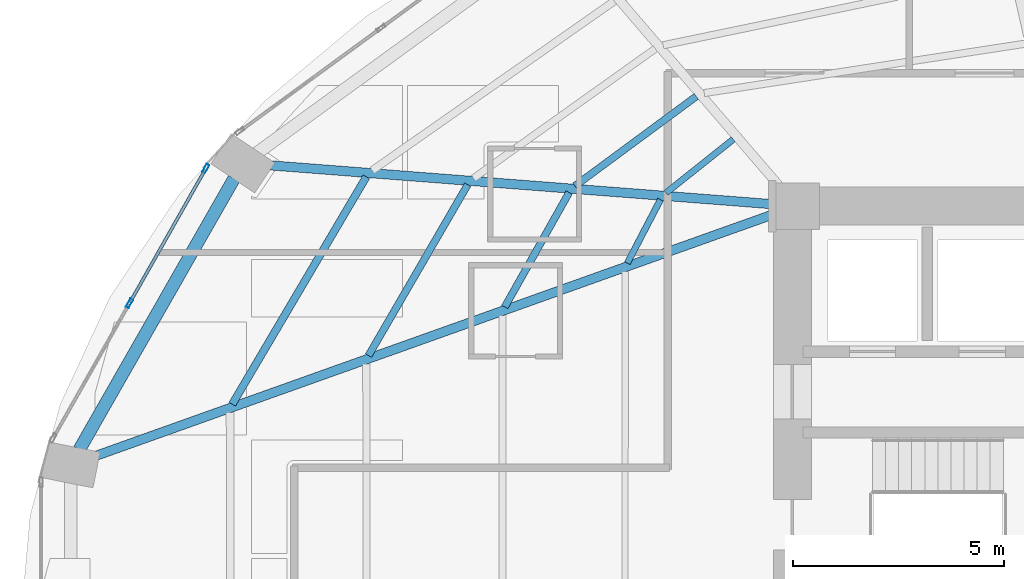
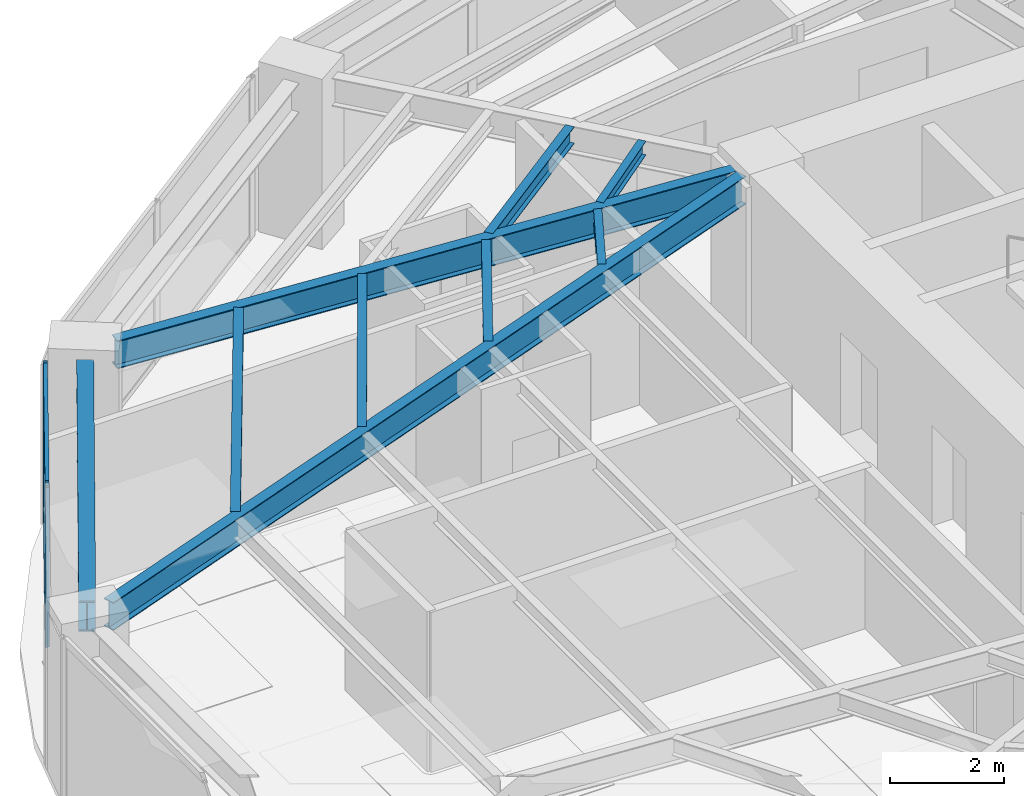
# One storey, part 8 of 24: 9 beams, 4 members, 1 element without a shape of its own.
"""IFC4 building model written with IfcOpenShell, lengths in metres."""

from ifc_helpers import new_model, si_unit, direction, frame, origin, origin_2d, place, context, subcontext, project, spatial, hollow_rectangle, i_section, extrude, material, layer, layer_set, material_profile, profile_set, type_object, element, aggregate, save


model = new_model("IFC4")

# Units and contexts
model_context = context("Model", 3, precision=1e-05, world=origin(), true_north=direction((0.0, 1.0)))
body_context = subcontext(model_context, "Body", "Model", "MODEL_VIEW")
ifc_project = project(units=[si_unit("LENGTHUNIT", "METRE"), si_unit("AREAUNIT", "SQUARE_METRE"), si_unit("VOLUMEUNIT", "CUBIC_METRE"), si_unit("PLANEANGLEUNIT", "RADIAN"), si_unit("MASSUNIT", "GRAM", prefix="KILO")], contexts=[model_context])

# Site, building, storey
site_placement = place(None, origin())
site = spatial("IfcSite", under=ifc_project, at=site_placement, CompositionType="ELEMENT")
building_placement = place(site_placement, origin())
building = spatial("IfcBuilding", under=site, at=building_placement, Name="Lazwardi Medical Tower", CompositionType="ELEMENT")
storey_placement = place(building_placement, frame((0.0, 0.0, 54.384033203125)))
storey = spatial("IfcBuildingStorey", under=building, at=storey_placement, Name="L13", CompositionType="ELEMENT", Elevation=54.384033203125)

# Beams
ifc_material_1 = material(Name="Steel S355", Category="steel")
ifc_material_profile_1 = material_profile(ifc_material_1, i_section(OverallWidth=0.300048828125, OverallDepth=0.64990234375, WebThickness=0.01611328125, FlangeThickness=0.031005859375, at=origin_2d()), Name="HEB 650")
ifc_profile_set_1 = profile_set([ifc_material_profile_1], Name="Steel S355")
beam_type_1 = type_object("IfcBeamType", Name="BM-RB-Z1", PredefinedType="BEAM", material=ifc_profile_set_1)
beam_1_placement = place(storey_placement, frame((13.072021484375, 36.24951171875, 3.10302734375), z_axis=(-0.495829348644, -0.868419977328, 0.0), x_axis=(0.868419977328, -0.495829348644, 0.0)))
element("IfcBeam", 1, at=beam_1_placement, inside=storey, type_object=beam_type_1, Name="Ring beam RB-02 B11 L13", PredefinedType="BEAM", context=body_context, shape_type="SweptSolid", body=[
    extrude(i_section(OverallWidth=0.300048828125, OverallDepth=0.64990234375, WebThickness=0.01611328125, FlangeThickness=0.031005859375, at=origin_2d()), origin(), (0.0, 0.0, 1.0), 7.38916015625),
])
ifc_material_profile_2 = material_profile(ifc_material_1, i_section(OverallWidth=0.219970703125, OverallDepth=0.60009765625, WebThickness=0.011962890625, FlangeThickness=0.01904296875, at=origin_2d()), Name="IPE 600")
ifc_profile_set_2 = profile_set([ifc_material_profile_2], Name="Steel S355")
beam_type_2 = type_object("IfcBeamType", Name="BM-RG-W1", PredefinedType="BEAM", material=ifc_profile_set_2)
beam_2_placement = place(storey_placement, frame((13.8583984375, 36.569580078125, 3.1279296875), z_axis=(0.997024241118, -0.077088667283, 0.0), x_axis=(0.077088667283, 0.997024241118, 0.0)))
element("IfcBeam", 2, at=beam_2_placement, inside=storey, type_object=beam_type_2, Name="Radial girder RG-02 R11 L13", PredefinedType="BEAM", context=body_context, shape_type="SweptSolid", body=[
    extrude(i_section(OverallWidth=0.219970703125, OverallDepth=0.60009765625, WebThickness=0.011962890625, FlangeThickness=0.01904296875, at=origin_2d()), origin(), (0.0, 0.0, 1.0), 12.044189453125),
])
beam_3_placement = place(storey_placement, frame((9.746337890625, 29.66259765625, 3.1279296875), z_axis=(0.941925080425, 0.335823082688, 0.0), x_axis=(-0.335823082688, 0.941925080425, 0.0)))
element("IfcBeam", 3, at=beam_3_placement, inside=storey, type_object=beam_type_2, Name="Radial girder RG-02 R12 L13", PredefinedType="BEAM", context=body_context, shape_type="SweptSolid", body=[
    extrude(i_section(OverallWidth=0.219970703125, OverallDepth=0.60009765625, WebThickness=0.011962890625, FlangeThickness=0.01904296875, at=origin_2d()), origin(), (0.0, 0.0, 1.0), 17.145263671875),
])
ifc_material_profile_3 = material_profile(ifc_material_1, i_section(OverallWidth=0.179931640625, OverallDepth=0.39990234375, WebThickness=0.008544921875, FlangeThickness=0.013427734375, at=origin_2d()), Name="IPE 400")
ifc_profile_set_3 = profile_set([ifc_material_profile_3], Name="Steel S355")
beam_type_3 = type_object("IfcBeamType", Name="BM-SJ-01", PredefinedType="JOIST", material=ifc_profile_set_3)
beam_4_placement = place(storey_placement, frame((16.206787109375, 36.29345703125, 3.22802734375), z_axis=(-0.507886270937, -0.861424132349, 0.0), x_axis=(0.861424132349, -0.507886270937, 0.0)))
element("IfcBeam", 4, at=beam_4_placement, inside=storey, type_object=beam_type_3, Name="Secondary joist SJ-01 R1 B11 L13", PredefinedType="JOIST", context=body_context, shape_type="SweptSolid", body=[
    extrude(i_section(OverallWidth=0.179931640625, OverallDepth=0.39990234375, WebThickness=0.008544921875, FlangeThickness=0.013427734375, at=origin_2d()), origin(), (0.0, 0.0, 1.0), 6.255859375),
])
ifc_material_profile_4 = material_profile(ifc_material_1, i_section(OverallWidth=0.169921875, OverallDepth=0.360107421875, WebThickness=0.008056640625, FlangeThickness=0.0126953125, at=origin_2d()), Name="IPE 360")
ifc_profile_set_4 = profile_set([ifc_material_profile_4], Name="Steel S355")
beam_type_4 = type_object("IfcBeamType", Name="BM-SJ-02", PredefinedType="JOIST", material=ifc_profile_set_4)
beam_5_placement = place(storey_placement, frame((18.60888671875, 36.107421875, 3.248046875), z_axis=(-0.501798442848, -0.86498457949, 0.0), x_axis=(0.86498457949, -0.501798442848, 0.0)))
element("IfcBeam", 5, at=beam_5_placement, inside=storey, type_object=beam_type_4, Name="Secondary joist SJ-02 R2 B11 L13", PredefinedType="JOIST", context=body_context, shape_type="SweptSolid", body=[
    extrude(i_section(OverallWidth=0.169921875, OverallDepth=0.360107421875, WebThickness=0.008056640625, FlangeThickness=0.0126953125, at=origin_2d()), origin(), (0.0, 0.0, 1.0), 4.683349609375),
])
beam_6_placement = place(storey_placement, frame((24.025146484375, 38.19873046875, 3.248046875), z_axis=(-0.804580292353, -0.593843879448, 0.0), x_axis=(0.593843879448, -0.804580292353, 0.0)))
element("IfcBeam", 6, at=beam_6_placement, inside=storey, type_object=beam_type_4, Name="Secondary joist SJ-02 R3 B10 L13", PredefinedType="JOIST", context=body_context, shape_type="SweptSolid", body=[
    extrude(i_section(OverallWidth=0.169921875, OverallDepth=0.360107421875, WebThickness=0.008056640625, FlangeThickness=0.0126953125, at=origin_2d()), origin(), (0.0, 0.0, 1.0), 3.576416015625),
])
beam_7_placement = place(storey_placement, frame((21.011962890625, 35.9208984375, 3.248046875), z_axis=(-0.489974339037, -0.87173685656, 0.0), x_axis=(0.87173685656, -0.489974339037, 0.0)))
element("IfcBeam", 7, at=beam_7_placement, inside=storey, type_object=beam_type_4, Name="Secondary joist SJ-02 R3 B11 L13", PredefinedType="JOIST", context=body_context, shape_type="SweptSolid", body=[
    extrude(i_section(OverallWidth=0.169921875, OverallDepth=0.360107421875, WebThickness=0.008056640625, FlangeThickness=0.0126953125, at=origin_2d()), origin(), (0.0, 0.0, 1.0), 3.111328125),
])
ifc_material_profile_5 = material_profile(ifc_material_1, i_section(OverallWidth=0.14990234375, OverallDepth=0.300048828125, WebThickness=0.007080078125, FlangeThickness=0.0107421875, at=origin_2d()), Name="IPE 300")
ifc_profile_set_5 = profile_set([ifc_material_profile_5], Name="Steel S355")
beam_type_5 = type_object("IfcBeamType", Name="BM-SJ-03", PredefinedType="JOIST", material=ifc_profile_set_5)
beam_8_placement = place(storey_placement, frame((24.901123046875, 37.1806640625, 3.278076171875), z_axis=(-0.782210957226, -0.623013658274, 0.0), x_axis=(0.623013658274, -0.782210957226, 0.0)))
element("IfcBeam", 8, at=beam_8_placement, inside=storey, type_object=beam_type_5, Name="Secondary joist SJ-03 R4 B10 L13", PredefinedType="JOIST", context=body_context, shape_type="SweptSolid", body=[
    extrude(i_section(OverallWidth=0.14990234375, OverallDepth=0.300048828125, WebThickness=0.007080078125, FlangeThickness=0.0107421875, at=origin_2d()), origin(), (0.0, 0.0, 1.0), 2.0380859375),
])
beam_9_placement = place(storey_placement, frame((23.17626953125, 35.752197265625, 3.278076171875), z_axis=(-0.462162985948, -0.88679500135, 0.0), x_axis=(0.88679500135, -0.462162985948, 0.0)))
element("IfcBeam", 9, at=beam_9_placement, inside=storey, type_object=beam_type_5, Name="Secondary joist SJ-03 R4 B11 L13", PredefinedType="JOIST", context=body_context, shape_type="SweptSolid", body=[
    extrude(i_section(OverallWidth=0.14990234375, OverallDepth=0.300048828125, WebThickness=0.007080078125, FlangeThickness=0.0107421875, at=origin_2d()), origin(), (0.0, 0.0, 1.0), 1.69775390625),
])

# Curtain wall, members
ifc_material_2 = material(Name="Anodised bronze aluminium and solar control glazing", Category="aluminium")
ifc_layer = layer(ifc_material_2, 0.199951171875)
ifc_layer_set = layer_set([ifc_layer], Name="Anodised bronze aluminium and solar control glazing")
curtain_wall_type = type_object("IfcCurtainWallType", Name="CW-SYS-02", PredefinedType="NOTDEFINED", material=ifc_layer_set)
curtain_wall_placement = place(storey_placement, origin())
curtain_wall = element("IfcCurtainWall", 10, at=curtain_wall_placement, inside=storey, type_object=curtain_wall_type, Name="L13 Unitised bronze curtain wall CW-02", PredefinedType="NOTDEFINED")
ifc_material_3 = material(Name="Anodised bronze aluminium", Category="aluminium")
ifc_material_profile_6 = material_profile(ifc_material_3, hollow_rectangle(XDim=0.074951171875, YDim=0.219970703125, WallThickness=0.00390625, at=origin_2d()), Name="ALU-MULLION 220x75x4")
ifc_profile_set_6 = profile_set([ifc_material_profile_6], Name="Anodised bronze aluminium")
member_type_1 = type_object("IfcMemberType", Name="CW-MUL-01", PredefinedType="MULLION", material=ifc_profile_set_6)
member_1_placement = place(storey_placement, frame((12.4033203125, 36.488525390625, 0.0), z_axis=(0.0, 0.0, 1.0), x_axis=(0.870111838823, -0.492854327303, 0.0)))
member_1 = element("IfcMember", 11, at=member_1_placement, type_object=member_type_1, Name="CW-02 mullion 1", PredefinedType="MULLION", context=body_context, shape_type="SweptSolid", body=[
    extrude(hollow_rectangle(XDim=0.074951171875, YDim=0.219970703125, WallThickness=0.00390625, at=origin_2d()), origin(), (0.0, 0.0, 1.0), 3.427978515625),
])
member_2_placement = place(storey_placement, frame((10.5947265625, 33.29541015625, 0.0), z_axis=(0.0, 0.0, 1.0), x_axis=(0.870111838823, -0.492854327303, 0.0)))
member_2 = element("IfcMember", 12, at=member_2_placement, type_object=member_type_1, Name="CW-02 mullion 2", PredefinedType="MULLION", context=body_context, shape_type="SweptSolid", body=[
    extrude(hollow_rectangle(XDim=0.074951171875, YDim=0.219970703125, WallThickness=0.00390625, at=origin_2d()), origin(), (0.0, 0.0, 1.0), 3.427978515625),
])
ifc_material_profile_7 = material_profile(ifc_material_3, hollow_rectangle(XDim=0.074951171875, YDim=0.159912109375, WallThickness=0.00390625, at=origin_2d()), Name="ALU-TRANSOM 160x75x4")
ifc_profile_set_7 = profile_set([ifc_material_profile_7], Name="Anodised bronze aluminium")
member_type_2 = type_object("IfcMemberType", Name="CW-TRN-01", PredefinedType="USERDEFINED", material=ifc_profile_set_7)
member_3_placement = place(storey_placement, frame((12.384765625, 36.4560546875, 0.037353515625), z_axis=(-0.49285148925, -0.870113446365, 0.0), x_axis=(0.870113446365, -0.49285148925, 0.0)))
member_3 = element("IfcMember", 13, at=member_3_placement, type_object=member_type_2, Name="CW-02 transom 1.1", ObjectType="TRANSOM", PredefinedType="USERDEFINED", context=body_context, shape_type="SweptSolid", body=[
    extrude(hollow_rectangle(XDim=0.074951171875, YDim=0.159912109375, WallThickness=0.00390625, at=origin_2d()), origin(), (0.0, 0.0, 1.0), 3.594970703125),
])
member_4_placement = place(storey_placement, frame((12.384765625, 36.4560546875, 3.390380859375), z_axis=(-0.49285148925, -0.870113446365, 0.0), x_axis=(0.870113446365, -0.49285148925, 0.0)))
member_4 = element("IfcMember", 14, at=member_4_placement, type_object=member_type_2, Name="CW-02 transom 1.2", ObjectType="TRANSOM", PredefinedType="USERDEFINED", context=body_context, shape_type="SweptSolid", body=[
    extrude(hollow_rectangle(XDim=0.074951171875, YDim=0.159912109375, WallThickness=0.00390625, at=origin_2d()), origin(), (0.0, 0.0, 1.0), 3.594970703125),
])
aggregate(curtain_wall, [member_1, member_2, member_3, member_4])

save(model, "model.ifc")
